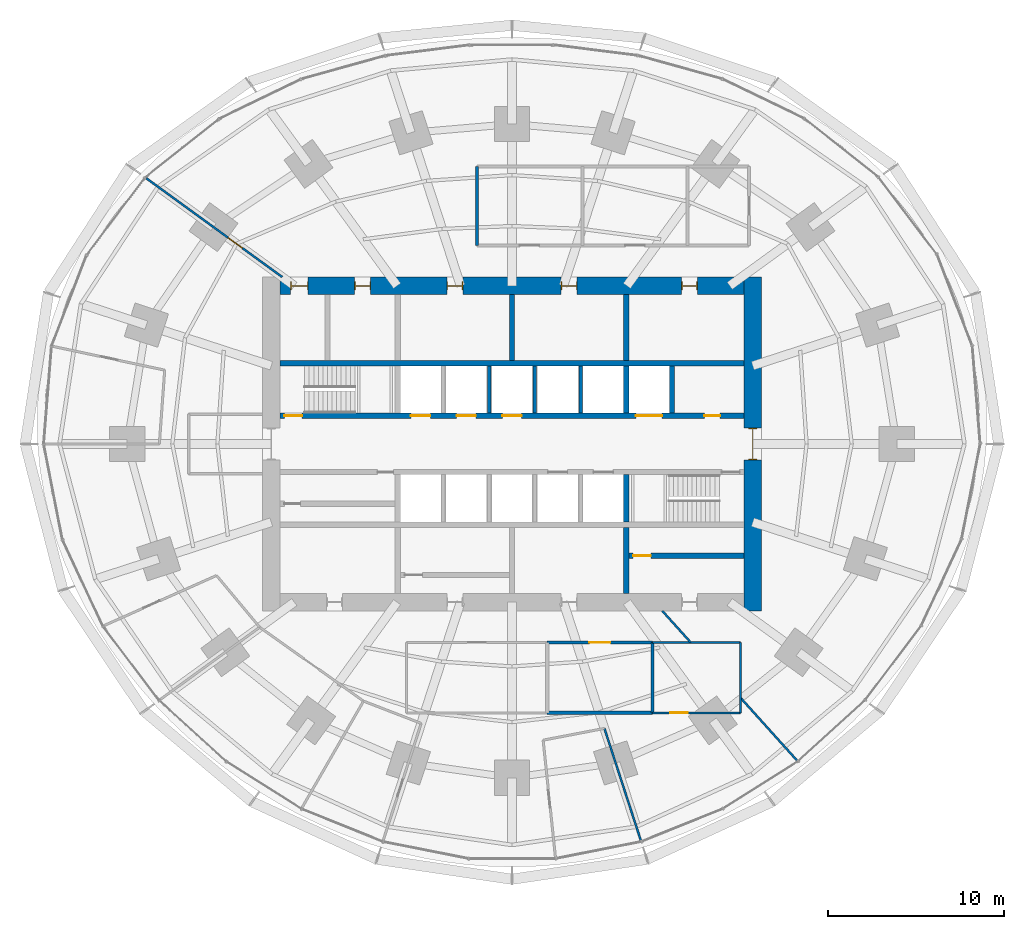
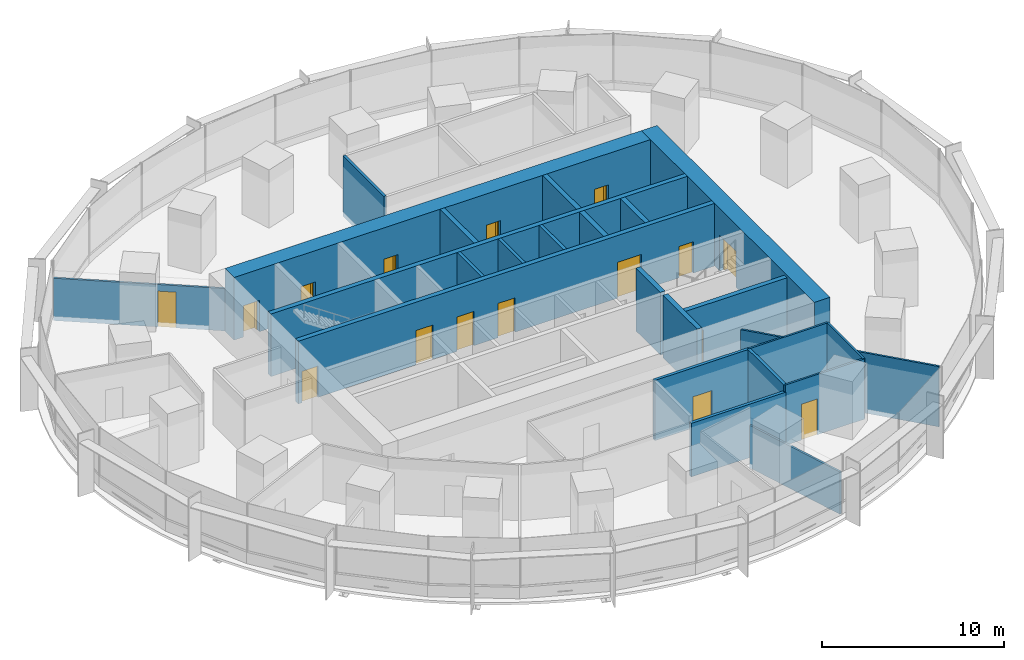
# One storey, part 12 of 15: 25 walls, 16 doors, 16 openings.
"""IFC4 building model written with IfcOpenShell, lengths in metres."""

from ifc_helpers import new_model, si_unit, direction, frame, frame_2d, origin, place, context, subcontext, project, spatial, rectangle, extrude, material, layer, layer_set, type_object, element, fill, save


model = new_model("IFC4")

# Units and contexts
model_context = context("Model", 3, precision=1e-05, world=origin(), true_north=direction((0.0, 1.0)))
body_context = subcontext(model_context, "Body", "Model", "MODEL_VIEW")
ifc_project = project(units=[si_unit("LENGTHUNIT", "METRE"), si_unit("AREAUNIT", "SQUARE_METRE"), si_unit("VOLUMEUNIT", "CUBIC_METRE"), si_unit("PLANEANGLEUNIT", "RADIAN"), si_unit("MASSUNIT", "GRAM", prefix="KILO")], contexts=[model_context])

# Site, building, storey
site_placement = place(None, origin())
site = spatial("IfcSite", under=ifc_project, at=site_placement, CompositionType="ELEMENT")
building_placement = place(site_placement, origin())
building = spatial("IfcBuilding", under=site, at=building_placement, Name="Marramba Exchange Tower", CompositionType="ELEMENT")
storey_placement = place(building_placement, frame((0.0, 0.0, 57.39990234375)))
storey = spatial("IfcBuildingStorey", under=building, at=storey_placement, Name="L13", CompositionType="ELEMENT", Elevation=57.39990234375)

# Walls
ifc_material_1 = material(Name="Plasterboard on staggered double steel studs, acoustic insulation", Category="steel")
ifc_layer_1 = layer(ifc_material_1, 0.169921875)
ifc_layer_set_1 = layer_set([ifc_layer_1], Name="Acoustic partition 170")
wall_type_1 = type_object("IfcWallType", Name="Acoustic partition 170", PredefinedType="PARTITIONING", material=ifc_layer_set_1)
wall_1_placement = place(storey_placement, frame((-2.0, 11.300048828125, 0.0), z_axis=(0.0, 0.0, 1.0), x_axis=(0.0, 1.0, 0.0)))
element("IfcWall", 1, at=wall_1_placement, inside=storey, type_object=wall_type_1, Name="Acoustic partition L13 29", PredefinedType="PARTITIONING", context=body_context, shape_type="SweptSolid", body=[
    extrude(rectangle(XDim=4.5, YDim=0.169921875, at=frame_2d((2.25, 0.0))), origin(), (0.0, 0.0, 1.0), 4.0400390625),
])
ifc_material_2 = material(Name="Concrete N50", Category="concrete")
ifc_layer_2 = layer(ifc_material_2, 0.199951171875)
ifc_layer_set_2 = layer_set([ifc_layer_2], Name="Core shaft wall 200")
wall_type_2 = type_object("IfcWallType", Name="Core shaft wall 200", PredefinedType="SHEAR", material=ifc_layer_set_2)
for number, where, z_axis, x_axis, name in (
    (2, (-1.300048828125, 1.75, 0.0), (0.0, 0.0, 1.0), (0.0, 1.0, 0.0), "Core wall SHN2 L13"),
    (3, (1.300048828125, 1.75, 0.0), (0.0, 0.0, 1.0), (0.0, 1.0, 0.0), "Core wall SHN3 L13"),
    (4, (3.89990234375, 1.75, 0.0), (0.0, 0.0, 1.0), (0.0, 1.0, 0.0), "Core wall SHN4 L13"),
):
    element("IfcWall", number, at=place(storey_placement, frame(where, z_axis=z_axis, x_axis=x_axis)), inside=storey, type_object=wall_type_2, Name=name, PredefinedType="SHEAR", context=body_context, shape_type="SweptSolid", body=[
        extrude(rectangle(XDim=2.699951171875, YDim=0.199951171875, at=frame_2d((1.35009765625, 0.0))), origin(), (0.0, 0.0, 1.0), 4.2001953125),
    ])

# Wall, openings, doors
ifc_layer_3 = layer(ifc_material_2, 1.0)
ifc_layer_set_3 = layer_set([ifc_layer_3], Name="Core wall 1000")
wall_type_3 = type_object("IfcWallType", Name="Core wall 1000", PredefinedType="SHEAR", material=ifc_layer_set_3)
wall_2_placement = place(storey_placement, frame((13.199951171875, 9.0, 0.0), z_axis=(0.0, 0.0, 1.0), x_axis=(-1.0, 0.0, 0.0)))
wall_2 = element("IfcWall", 5, at=wall_2_placement, inside=storey, type_object=wall_type_3, Name="Core wall N L13", PredefinedType="SHEAR", context=body_context, shape_type="SweptSolid", body=[
    extrude(rectangle(XDim=26.39990234375, YDim=1.0, at=frame_2d((13.199951171875, 0.0))), origin(), (0.0, 0.0, 1.0), 4.2001953125),
])
opening_1_placement = place(wall_2_placement, frame((2.64990234375, 0.0, 0.0)))
opening_1 = element("IfcOpeningElement", 6, at=opening_1_placement, cuts=wall_2, Name="Opening D5", PredefinedType="OPENING", context=body_context, shape_type="SweptSolid", body=[
    extrude(rectangle(XDim=0.89990234375, YDim=2.10009765625, at=frame_2d((0.449951171875, 1.050048828125))), frame((0.0, 0.510009765625, 0.0), z_axis=(0.0, -1.0, 0.0), x_axis=(1.0, 0.0, 0.0)), (0.0, 0.0, 1.0), 1.02001953125),
])
opening_2_placement = place(wall_2_placement, frame((9.5, 0.0, 0.0)))
opening_2 = element("IfcOpeningElement", 7, at=opening_2_placement, cuts=wall_2, Name="Opening D3", PredefinedType="OPENING", context=body_context, shape_type="SweptSolid", body=[
    extrude(rectangle(XDim=0.89990234375, YDim=2.10009765625, at=frame_2d((0.449951171875, 1.050048828125))), frame((0.0, 0.510009765625, 0.0), z_axis=(0.0, -1.0, 0.0), x_axis=(1.0, 0.0, 0.0)), (0.0, 0.0, 1.0), 1.02001953125),
])
opening_3_placement = place(wall_2_placement, frame((16.0, 0.0, 0.0)))
opening_3 = element("IfcOpeningElement", 8, at=opening_3_placement, cuts=wall_2, Name="Opening D3", PredefinedType="OPENING", context=body_context, shape_type="SweptSolid", body=[
    extrude(rectangle(XDim=0.89990234375, YDim=2.10009765625, at=frame_2d((0.449951171875, 1.050048828125))), frame((0.0, 0.510009765625, 0.0), z_axis=(0.0, -1.0, 0.0), x_axis=(1.0, 0.0, 0.0)), (0.0, 0.0, 1.0), 1.02001953125),
])
opening_4_placement = place(wall_2_placement, frame((21.25, 0.0, 0.0)))
opening_4 = element("IfcOpeningElement", 9, at=opening_4_placement, cuts=wall_2, Name="Opening D5", PredefinedType="OPENING", context=body_context, shape_type="SweptSolid", body=[
    extrude(rectangle(XDim=0.89990234375, YDim=2.10009765625, at=frame_2d((0.449951171875, 1.050048828125))), frame((0.0, 0.510009765625, 0.0), z_axis=(0.0, -1.0, 0.0), x_axis=(1.0, 0.0, 0.0)), (0.0, 0.0, 1.0), 1.02001953125),
])
opening_5_placement = place(wall_2_placement, frame((24.800048828125, 0.0, 0.0)))
opening_5 = element("IfcOpeningElement", 10, at=opening_5_placement, cuts=wall_2, Name="Opening D4", PredefinedType="OPENING", context=body_context, shape_type="SweptSolid", body=[
    extrude(rectangle(XDim=1.0, YDim=2.10009765625, at=frame_2d((0.5, 1.050048828125))), frame((0.0, 0.510009765625, 0.0), z_axis=(0.0, -1.0, 0.0), x_axis=(1.0, 0.0, 0.0)), (0.0, 0.0, 1.0), 1.02001953125),
])
ifc_material_3 = material(Name="Steel-framed door", Category="steel")
door_type_1 = type_object("IfcDoorType", Name="Accessible toilet door 1000x2100", OperationType="SINGLE_SWING_LEFT", PredefinedType="DOOR", material=ifc_material_3)
door_1_placement = place(opening_5_placement, origin())
door_1 = element("IfcDoor", 11, at=door_1_placement, inside=storey, type_object=door_type_1, Name="D4 awc L13", OperationType="SINGLE_SWING_RIGHT", OverallHeight=2.10009765625, OverallWidth=1.0, PredefinedType="DOOR", context=body_context, shape_type="SweptSolid", body=[
    extrude(rectangle(XDim=0.919921875, YDim=2.06005859375, at=frame_2d((0.5, 1.030029296875))), frame((0.0, 0.02490234375, 0.0), z_axis=(0.0, -1.0, 0.0), x_axis=(1.0, 0.0, 0.0)), (0.0, 0.0, 1.0), 0.050048828125),
    extrude(rectangle(XDim=0.04, YDim=2.10009765625, at=frame_2d((0.02001953125, 1.050048828125))), frame((0.0, 0.25, 0.0), z_axis=(0.0, -1.0, 0.0), x_axis=(1.0, 0.0, 0.0)), (0.0, 0.0, 1.0), 0.5),
    extrude(rectangle(XDim=0.04, YDim=2.10009765625, at=frame_2d((0.97998046875, 1.050048828125))), frame((0.0, 0.25, 0.0), z_axis=(0.0, -1.0, 0.0), x_axis=(1.0, 0.0, 0.0)), (0.0, 0.0, 1.0), 0.5),
    extrude(rectangle(XDim=0.919921875, YDim=0.04, at=frame_2d((0.5, 2.080078125))), frame((0.0, 0.25, 0.0), z_axis=(0.0, -1.0, 0.0), x_axis=(1.0, 0.0, 0.0)), (0.0, 0.0, 1.0), 0.5),
])
fill(opening_5, door_1)
door_type_2 = type_object("IfcDoorType", Name="Service door 900x2100", OperationType="SINGLE_SWING_LEFT", PredefinedType="DOOR", material=ifc_material_3)
door_2_placement = place(opening_1_placement, origin())
door_2 = element("IfcDoor", 12, at=door_2_placement, inside=storey, type_object=door_type_2, Name="D5 comms L13", OperationType="SINGLE_SWING_LEFT", OverallHeight=2.10009765625, OverallWidth=0.89990234375, PredefinedType="DOOR", context=body_context, shape_type="SweptSolid", body=[
    extrude(rectangle(XDim=0.81982421875, YDim=2.06005859375, at=frame_2d((0.449951171875, 1.030029296875))), frame((0.0, 0.02490234375, 0.0), z_axis=(0.0, -1.0, 0.0), x_axis=(1.0, 0.0, 0.0)), (0.0, 0.0, 1.0), 0.050048828125),
    extrude(rectangle(XDim=0.04, YDim=2.10009765625, at=frame_2d((0.02001953125, 1.050048828125))), frame((0.0, 0.25, 0.0), z_axis=(0.0, -1.0, 0.0), x_axis=(1.0, 0.0, 0.0)), (0.0, 0.0, 1.0), 0.5),
    extrude(rectangle(XDim=0.04, YDim=2.10009765625, at=frame_2d((0.8798828125, 1.050048828125))), frame((0.0, 0.25, 0.0), z_axis=(0.0, -1.0, 0.0), x_axis=(1.0, 0.0, 0.0)), (0.0, 0.0, 1.0), 0.5),
    extrude(rectangle(XDim=0.81982421875, YDim=0.04, at=frame_2d((0.449951171875, 2.080078125))), frame((0.0, 0.25, 0.0), z_axis=(0.0, -1.0, 0.0), x_axis=(1.0, 0.0, 0.0)), (0.0, 0.0, 1.0), 0.5),
])
fill(opening_1, door_2)
door_3_placement = place(opening_4_placement, origin())
door_3 = element("IfcDoor", 13, at=door_3_placement, inside=storey, type_object=door_type_2, Name="D5 cleaner L13", OperationType="SINGLE_SWING_RIGHT", OverallHeight=2.10009765625, OverallWidth=0.89990234375, PredefinedType="DOOR", context=body_context, shape_type="SweptSolid", body=[
    extrude(rectangle(XDim=0.81982421875, YDim=2.06005859375, at=frame_2d((0.449951171875, 1.030029296875))), frame((0.0, 0.02490234375, 0.0), z_axis=(0.0, -1.0, 0.0), x_axis=(1.0, 0.0, 0.0)), (0.0, 0.0, 1.0), 0.050048828125),
    extrude(rectangle(XDim=0.04, YDim=2.10009765625, at=frame_2d((0.02001953125, 1.050048828125))), frame((0.0, 0.25, 0.0), z_axis=(0.0, -1.0, 0.0), x_axis=(1.0, 0.0, 0.0)), (0.0, 0.0, 1.0), 0.5),
    extrude(rectangle(XDim=0.04, YDim=2.10009765625, at=frame_2d((0.8798828125, 1.050048828125))), frame((0.0, 0.25, 0.0), z_axis=(0.0, -1.0, 0.0), x_axis=(1.0, 0.0, 0.0)), (0.0, 0.0, 1.0), 0.5),
    extrude(rectangle(XDim=0.81982421875, YDim=0.04, at=frame_2d((0.449951171875, 2.080078125))), frame((0.0, 0.25, 0.0), z_axis=(0.0, -1.0, 0.0), x_axis=(1.0, 0.0, 0.0)), (0.0, 0.0, 1.0), 0.5),
])
fill(opening_4, door_3)
door_type_3 = type_object("IfcDoorType", Name="Toilet door 900x2100", OperationType="SINGLE_SWING_LEFT", PredefinedType="DOOR", material=ifc_material_3)
door_4_placement = place(opening_2_placement, origin())
door_4 = element("IfcDoor", 14, at=door_4_placement, inside=storey, type_object=door_type_3, Name="D3 wc-f L13", OperationType="SINGLE_SWING_RIGHT", OverallHeight=2.10009765625, OverallWidth=0.89990234375, PredefinedType="DOOR", context=body_context, shape_type="SweptSolid", body=[
    extrude(rectangle(XDim=0.81982421875, YDim=2.06005859375, at=frame_2d((0.449951171875, 1.030029296875))), frame((0.0, 0.02490234375, 0.0), z_axis=(0.0, -1.0, 0.0), x_axis=(1.0, 0.0, 0.0)), (0.0, 0.0, 1.0), 0.050048828125),
    extrude(rectangle(XDim=0.04, YDim=2.10009765625, at=frame_2d((0.02001953125, 1.050048828125))), frame((0.0, 0.25, 0.0), z_axis=(0.0, -1.0, 0.0), x_axis=(1.0, 0.0, 0.0)), (0.0, 0.0, 1.0), 0.5),
    extrude(rectangle(XDim=0.04, YDim=2.10009765625, at=frame_2d((0.8798828125, 1.050048828125))), frame((0.0, 0.25, 0.0), z_axis=(0.0, -1.0, 0.0), x_axis=(1.0, 0.0, 0.0)), (0.0, 0.0, 1.0), 0.5),
    extrude(rectangle(XDim=0.81982421875, YDim=0.04, at=frame_2d((0.449951171875, 2.080078125))), frame((0.0, 0.25, 0.0), z_axis=(0.0, -1.0, 0.0), x_axis=(1.0, 0.0, 0.0)), (0.0, 0.0, 1.0), 0.5),
])
fill(opening_2, door_4)
door_5_placement = place(opening_3_placement, origin())
door_5 = element("IfcDoor", 15, at=door_5_placement, inside=storey, type_object=door_type_3, Name="D3 wc-m L13", OperationType="SINGLE_SWING_RIGHT", OverallHeight=2.10009765625, OverallWidth=0.89990234375, PredefinedType="DOOR", context=body_context, shape_type="SweptSolid", body=[
    extrude(rectangle(XDim=0.81982421875, YDim=2.06005859375, at=frame_2d((0.449951171875, 1.030029296875))), frame((0.0, 0.02490234375, 0.0), z_axis=(0.0, -1.0, 0.0), x_axis=(1.0, 0.0, 0.0)), (0.0, 0.0, 1.0), 0.050048828125),
    extrude(rectangle(XDim=0.04, YDim=2.10009765625, at=frame_2d((0.02001953125, 1.050048828125))), frame((0.0, 0.25, 0.0), z_axis=(0.0, -1.0, 0.0), x_axis=(1.0, 0.0, 0.0)), (0.0, 0.0, 1.0), 0.5),
    extrude(rectangle(XDim=0.04, YDim=2.10009765625, at=frame_2d((0.8798828125, 1.050048828125))), frame((0.0, 0.25, 0.0), z_axis=(0.0, -1.0, 0.0), x_axis=(1.0, 0.0, 0.0)), (0.0, 0.0, 1.0), 0.5),
    extrude(rectangle(XDim=0.81982421875, YDim=0.04, at=frame_2d((0.449951171875, 2.080078125))), frame((0.0, 0.25, 0.0), z_axis=(0.0, -1.0, 0.0), x_axis=(1.0, 0.0, 0.0)), (0.0, 0.0, 1.0), 0.5),
])
fill(opening_3, door_5)

# Wall, opening, door
wall_3_placement = place(storey_placement, frame((13.699951171875, -9.5, 0.0), z_axis=(0.0, 0.0, 1.0), x_axis=(0.0, 1.0, 0.0)))
wall_3 = element("IfcWall", 16, at=wall_3_placement, inside=storey, type_object=wall_type_3, Name="Core wall E L13", PredefinedType="SHEAR", context=body_context, shape_type="SweptSolid", body=[
    extrude(rectangle(XDim=19.0, YDim=1.0, at=frame_2d((9.5, 0.0))), origin(), (0.0, 0.0, 1.0), 4.2001953125),
])
opening_6_placement = place(wall_3_placement, frame((8.60009765625, 0.0, 0.0)))
opening_6 = element("IfcOpeningElement", 17, at=opening_6_placement, cuts=wall_3, Name="Opening D1", PredefinedType="OPENING", context=body_context, shape_type="SweptSolid", body=[
    extrude(rectangle(XDim=1.800048828125, YDim=2.39990234375, at=frame_2d((0.89990234375, 1.199951171875))), frame((0.0, 0.510009765625, 0.0), z_axis=(0.0, -1.0, 0.0), x_axis=(1.0, 0.0, 0.0)), (0.0, 0.0, 1.0), 1.02001953125),
])
door_type_4 = type_object("IfcDoorType", Name="Lobby exit door 1800x2400", OperationType="DOUBLE_DOOR_SINGLE_SWING", PredefinedType="DOOR", material=ifc_material_3)
door_6_placement = place(opening_6_placement, origin())
door_6 = element("IfcDoor", 18, at=door_6_placement, inside=storey, type_object=door_type_4, Name="D1 lobby exit east L13", OperationType="DOUBLE_DOOR_SINGLE_SWING", OverallHeight=2.39990234375, OverallWidth=1.800048828125, PredefinedType="DOOR", context=body_context, shape_type="SweptSolid", body=[
    extrude(rectangle(XDim=1.719970703125, YDim=2.35986328125, at=frame_2d((0.89990234375, 1.179931640625))), frame((0.0, 0.02490234375, 0.0), z_axis=(0.0, -1.0, 0.0), x_axis=(1.0, 0.0, 0.0)), (0.0, 0.0, 1.0), 0.050048828125),
    extrude(rectangle(XDim=0.04, YDim=2.39990234375, at=frame_2d((0.02001953125, 1.199951171875))), frame((0.0, 0.25, 0.0), z_axis=(0.0, -1.0, 0.0), x_axis=(1.0, 0.0, 0.0)), (0.0, 0.0, 1.0), 0.5),
    extrude(rectangle(XDim=0.04, YDim=2.39990234375, at=frame_2d((1.780029296875, 1.199951171875))), frame((0.0, 0.25, 0.0), z_axis=(0.0, -1.0, 0.0), x_axis=(1.0, 0.0, 0.0)), (0.0, 0.0, 1.0), 0.5),
    extrude(rectangle(XDim=1.719970703125, YDim=0.04, at=frame_2d((0.89990234375, 2.3798828125))), frame((0.0, 0.25, 0.0), z_axis=(0.0, -1.0, 0.0), x_axis=(1.0, 0.0, 0.0)), (0.0, 0.0, 1.0), 0.5),
])
fill(opening_6, door_6)

# Wall, openings, doors
ifc_layer_4 = layer(ifc_material_2, 0.300048828125)
ifc_layer_set_4 = layer_set([ifc_layer_4], Name="Core wall 300")
wall_type_4 = type_object("IfcWallType", Name="Core wall 300", PredefinedType="SHEAR", material=ifc_layer_set_4)
wall_4_placement = place(storey_placement, frame((-13.199951171875, 1.60009765625, 0.0), z_axis=(0.0, 0.0, 1.0), x_axis=(1.0, 0.0, 0.0)))
wall_4 = element("IfcWall", 19, at=wall_4_placement, inside=storey, type_object=wall_type_4, Name="Core wall LN L13", PredefinedType="SHEAR", context=body_context, shape_type="SweptSolid", body=[
    extrude(rectangle(XDim=26.39990234375, YDim=0.300048828125, at=frame_2d((13.199951171875, 0.0))), origin(), (0.0, 0.0, 1.0), 4.2001953125),
])
opening_7_placement = place(wall_4_placement, frame((0.25, 0.0, 0.0)))
opening_7 = element("IfcOpeningElement", 20, at=opening_7_placement, cuts=wall_4, Name="Opening D2", PredefinedType="OPENING", context=body_context, shape_type="SweptSolid", body=[
    extrude(rectangle(XDim=1.0, YDim=2.10009765625, at=frame_2d((0.5, 1.050048828125))), frame((0.0, 0.159912109375, 0.0), z_axis=(0.0, -1.0, 0.0), x_axis=(1.0, 0.0, 0.0)), (0.0, 0.0, 1.0), 0.320068359375),
])
opening_8_placement = place(wall_4_placement, frame((20.25, 0.0, 0.0)))
opening_8 = element("IfcOpeningElement", 21, at=opening_8_placement, cuts=wall_4, Name="Opening LD3", PredefinedType="OPENING", context=body_context, shape_type="SweptSolid", body=[
    extrude(rectangle(XDim=1.5, YDim=2.39990234375, at=frame_2d((0.75, 1.199951171875))), frame((0.0, 0.159912109375, 0.0), z_axis=(0.0, -1.0, 0.0), x_axis=(1.0, 0.0, 0.0)), (0.0, 0.0, 1.0), 0.320068359375),
])
opening_9_placement = place(wall_4_placement, frame((7.449951171875, 0.0, 0.0)))
opening_9 = element("IfcOpeningElement", 22, at=opening_9_placement, cuts=wall_4, Name="Opening LD1", PredefinedType="OPENING", context=body_context, shape_type="SweptSolid", body=[
    extrude(rectangle(XDim=1.10009765625, YDim=2.300048828125, at=frame_2d((0.550048828125, 1.14990234375))), frame((0.0, 0.159912109375, 0.0), z_axis=(0.0, -1.0, 0.0), x_axis=(1.0, 0.0, 0.0)), (0.0, 0.0, 1.0), 0.320068359375),
])
opening_10_placement = place(wall_4_placement, frame((10.050048828125, 0.0, 0.0)))
opening_10 = element("IfcOpeningElement", 23, at=opening_10_placement, cuts=wall_4, Name="Opening LD1", PredefinedType="OPENING", context=body_context, shape_type="SweptSolid", body=[
    extrude(rectangle(XDim=1.10009765625, YDim=2.300048828125, at=frame_2d((0.550048828125, 1.14990234375))), frame((0.0, 0.159912109375, 0.0), z_axis=(0.0, -1.0, 0.0), x_axis=(1.0, 0.0, 0.0)), (0.0, 0.0, 1.0), 0.320068359375),
])
opening_11_placement = place(wall_4_placement, frame((12.64990234375, 0.0, 0.0)))
opening_11 = element("IfcOpeningElement", 24, at=opening_11_placement, cuts=wall_4, Name="Opening LD1", PredefinedType="OPENING", context=body_context, shape_type="SweptSolid", body=[
    extrude(rectangle(XDim=1.10009765625, YDim=2.300048828125, at=frame_2d((0.550048828125, 1.14990234375))), frame((0.0, 0.159912109375, 0.0), z_axis=(0.0, -1.0, 0.0), x_axis=(1.0, 0.0, 0.0)), (0.0, 0.0, 1.0), 0.320068359375),
])
opening_12_placement = place(wall_4_placement, frame((24.14990234375, 0.0, 0.0)))
opening_12 = element("IfcOpeningElement", 25, at=opening_12_placement, cuts=wall_4, Name="Opening D5", PredefinedType="OPENING", context=body_context, shape_type="SweptSolid", body=[
    extrude(rectangle(XDim=0.89990234375, YDim=2.10009765625, at=frame_2d((0.449951171875, 1.050048828125))), frame((0.0, 0.159912109375, 0.0), z_axis=(0.0, -1.0, 0.0), x_axis=(1.0, 0.0, 0.0)), (0.0, 0.0, 1.0), 0.320068359375),
])
door_type_5 = type_object("IfcDoorType", Name="Goods lift landing door 1500x2400", OperationType="SLIDING_TO_LEFT", PredefinedType="DOOR", material=ifc_material_3)
door_7_placement = place(opening_8_placement, origin())
door_7 = element("IfcDoor", 26, at=door_7_placement, inside=storey, type_object=door_type_5, Name="GL1 landing door L13", OperationType="SLIDING_TO_LEFT", OverallHeight=2.39990234375, OverallWidth=1.5, PredefinedType="DOOR", context=body_context, shape_type="SweptSolid", body=[
    extrude(rectangle(XDim=1.5, YDim=2.39990234375, at=frame_2d((0.75, 1.199951171875))), frame((0.0, 0.02490234375, 0.0), z_axis=(0.0, -1.0, 0.0), x_axis=(1.0, 0.0, 0.0)), (0.0, 0.0, 1.0), 0.050048828125),
])
fill(opening_8, door_7)
door_type_6 = type_object("IfcDoorType", Name="Lift landing door 1100x2300", OperationType="SLIDING_TO_LEFT", PredefinedType="DOOR", material=ifc_material_3)
door_8_placement = place(opening_9_placement, origin())
door_8 = element("IfcDoor", 27, at=door_8_placement, inside=storey, type_object=door_type_6, Name="LA1 landing door L13", OperationType="SLIDING_TO_LEFT", OverallHeight=2.300048828125, OverallWidth=1.10009765625, PredefinedType="DOOR", context=body_context, shape_type="SweptSolid", body=[
    extrude(rectangle(XDim=1.10009765625, YDim=2.300048828125, at=frame_2d((0.550048828125, 1.14990234375))), frame((0.0, 0.02490234375, 0.0), z_axis=(0.0, -1.0, 0.0), x_axis=(1.0, 0.0, 0.0)), (0.0, 0.0, 1.0), 0.050048828125),
])
fill(opening_9, door_8)
door_9_placement = place(opening_10_placement, origin())
door_9 = element("IfcDoor", 28, at=door_9_placement, inside=storey, type_object=door_type_6, Name="LA2 landing door L13", OperationType="SLIDING_TO_LEFT", OverallHeight=2.300048828125, OverallWidth=1.10009765625, PredefinedType="DOOR", context=body_context, shape_type="SweptSolid", body=[
    extrude(rectangle(XDim=1.10009765625, YDim=2.300048828125, at=frame_2d((0.550048828125, 1.14990234375))), frame((0.0, 0.02490234375, 0.0), z_axis=(0.0, -1.0, 0.0), x_axis=(1.0, 0.0, 0.0)), (0.0, 0.0, 1.0), 0.050048828125),
])
fill(opening_10, door_9)
door_10_placement = place(opening_11_placement, origin())
door_10 = element("IfcDoor", 29, at=door_10_placement, inside=storey, type_object=door_type_6, Name="LA3 landing door L13", OperationType="SLIDING_TO_RIGHT", OverallHeight=2.300048828125, OverallWidth=1.10009765625, PredefinedType="DOOR", context=body_context, shape_type="SweptSolid", body=[
    extrude(rectangle(XDim=1.10009765625, YDim=2.300048828125, at=frame_2d((0.550048828125, 1.14990234375))), frame((0.0, 0.02490234375, 0.0), z_axis=(0.0, -1.0, 0.0), x_axis=(1.0, 0.0, 0.0)), (0.0, 0.0, 1.0), 0.050048828125),
])
fill(opening_11, door_10)
door_11_placement = place(opening_12_placement, origin())
door_11 = element("IfcDoor", 30, at=door_11_placement, inside=storey, type_object=door_type_2, Name="D5 riser L13", OperationType="SINGLE_SWING_RIGHT", OverallHeight=2.10009765625, OverallWidth=0.89990234375, PredefinedType="DOOR", context=body_context, shape_type="SweptSolid", body=[
    extrude(rectangle(XDim=0.89990234375, YDim=2.10009765625, at=frame_2d((0.449951171875, 1.050048828125))), frame((0.0, 0.02490234375, 0.0), z_axis=(0.0, -1.0, 0.0), x_axis=(1.0, 0.0, 0.0)), (0.0, 0.0, 1.0), 0.050048828125),
])
fill(opening_12, door_11)
door_type_7 = type_object("IfcDoorType", Name="Stair door 1000x2100", OperationType="SINGLE_SWING_LEFT", PredefinedType="DOOR", material=ifc_material_3)
door_12_placement = place(opening_7_placement, origin())
door_12 = element("IfcDoor", 31, at=door_12_placement, inside=storey, type_object=door_type_7, Name="D2 stair ST1 L13", OperationType="SINGLE_SWING_LEFT", OverallHeight=2.10009765625, OverallWidth=1.0, PredefinedType="DOOR", context=body_context, shape_type="SweptSolid", body=[
    extrude(rectangle(XDim=1.0, YDim=2.10009765625, at=frame_2d((0.5, 1.050048828125))), frame((0.0, 0.02490234375, 0.0), z_axis=(0.0, -1.0, 0.0), x_axis=(1.0, 0.0, 0.0)), (0.0, 0.0, 1.0), 0.050048828125),
])
fill(opening_7, door_12)

# Walls
wall_5_placement = place(storey_placement, frame((-13.199951171875, 4.60009765625, 0.0), z_axis=(0.0, 0.0, 1.0), x_axis=(1.0, 0.0, 0.0)))
element("IfcWall", 32, at=wall_5_placement, inside=storey, type_object=wall_type_4, Name="Core wall BN L13", PredefinedType="SHEAR", context=body_context, shape_type="SweptSolid", body=[
    extrude(rectangle(XDim=26.39990234375, YDim=0.300048828125, at=frame_2d((13.199951171875, 0.0))), origin(), (0.0, 0.0, 1.0), 4.2001953125),
])
wall_6_placement = place(storey_placement, frame((6.5, 1.75, 0.0), z_axis=(0.0, 0.0, 1.0), x_axis=(0.0, 1.0, 0.0)))
element("IfcWall", 33, at=wall_6_placement, inside=storey, type_object=wall_type_4, Name="Core wall X1Na L13", PredefinedType="SHEAR", context=body_context, shape_type="SweptSolid", body=[
    extrude(rectangle(XDim=2.699951171875, YDim=0.300048828125, at=frame_2d((1.35009765625, 0.0))), origin(), (0.0, 0.0, 1.0), 4.2001953125),
])
for number, where, z_axis, x_axis, name in (
    (34, (6.5, 4.75, 0.0), (0.0, 0.0, 1.0), (0.0, 1.0, 0.0), "Core wall X1Nb L13"),
    (35, (0.0, 4.75, 0.0), (0.0, 0.0, 1.0), (0.0, 1.0, 0.0), "Core wall MN L13"),
):
    element("IfcWall", number, at=place(storey_placement, frame(where, z_axis=z_axis, x_axis=x_axis)), inside=storey, type_object=wall_type_4, Name=name, PredefinedType="SHEAR", context=body_context, shape_type="SweptSolid", body=[
        extrude(rectangle(XDim=3.75, YDim=0.300048828125, at=frame_2d((1.875, 0.0))), origin(), (0.0, 0.0, 1.0), 4.2001953125),
    ])
wall_7_placement = place(storey_placement, frame((6.5, -1.75, 0.0), z_axis=(0.0, 0.0, 1.0), x_axis=(0.0, -1.0, 0.0)))
element("IfcWall", 36, at=wall_7_placement, inside=storey, type_object=wall_type_4, Name="Core wall X1Sa L13", PredefinedType="SHEAR", context=body_context, shape_type="SweptSolid", body=[
    extrude(rectangle(XDim=2.699951171875, YDim=0.300048828125, at=frame_2d((1.35009765625, 0.0))), origin(), (0.0, 0.0, 1.0), 4.2001953125),
])
wall_8_placement = place(storey_placement, frame((6.5, -4.75, 0.0), z_axis=(0.0, 0.0, 1.0), x_axis=(0.0, -1.0, 0.0)))
element("IfcWall", 37, at=wall_8_placement, inside=storey, type_object=wall_type_4, Name="Core wall X1Sb L13", PredefinedType="SHEAR", context=body_context, shape_type="SweptSolid", body=[
    extrude(rectangle(XDim=3.75, YDim=0.300048828125, at=frame_2d((1.875, 0.0))), origin(), (0.0, 0.0, 1.0), 4.2001953125),
])
wall_9_placement = place(storey_placement, frame((9.10009765625, 1.75, 0.0), z_axis=(0.0, 0.0, 1.0), x_axis=(0.0, 1.0, 0.0)))
element("IfcWall", 38, at=wall_9_placement, inside=storey, type_object=wall_type_4, Name="Core wall ED L13", PredefinedType="SHEAR", context=body_context, shape_type="SweptSolid", body=[
    extrude(rectangle(XDim=2.699951171875, YDim=0.300048828125, at=frame_2d((1.35009765625, 0.0))), origin(), (0.0, 0.0, 1.0), 4.2001953125),
])
ifc_material_4 = material(Name="Core-filled concrete blockwork, rendered", Category="masonry")
ifc_layer_5 = layer(ifc_material_4, 0.18994140625)
ifc_layer_set_5 = layer_set([ifc_layer_5], Name="Equipment room wall 190")
wall_type_5 = type_object("IfcWallType", Name="Equipment room wall 190", PredefinedType="SOLIDWALL", material=ifc_layer_set_5)
wall_10_placement = place(storey_placement, frame((2.0, -15.300048828125, 0.0), z_axis=(0.0, 0.0, 1.0), x_axis=(1.0, 0.0, 0.0)))
element("IfcWall", 39, at=wall_10_placement, inside=storey, type_object=wall_type_5, Name="Equipment room wall L13 16", PredefinedType="SOLIDWALL", context=body_context, shape_type="SweptSolid", body=[
    extrude(rectangle(XDim=6.0, YDim=0.18994140625, at=frame_2d((3.0, 0.0))), origin(), (0.0, 0.0, 1.0), 3.586181640625),
])

# Wall, opening, door
wall_11_placement = place(storey_placement, frame((8.0, -11.300048828125, 0.0), z_axis=(0.0, 0.0, 1.0), x_axis=(-1.0, 0.0, 0.0)))
wall_11 = element("IfcWall", 40, at=wall_11_placement, inside=storey, type_object=wall_type_5, Name="Equipment room wall L13 17", PredefinedType="SOLIDWALL", context=body_context, shape_type="SweptSolid", body=[
    extrude(rectangle(XDim=6.0, YDim=0.18994140625, at=frame_2d((3.0, 0.0))), origin(), (0.0, 0.0, 1.0), 4.0400390625),
])
opening_13_placement = place(wall_11_placement, frame((2.39990234375, 0.0, 0.0)))
opening_13 = element("IfcOpeningElement", 41, at=opening_13_placement, cuts=wall_11, Name="Opening D16", PredefinedType="OPENING", context=body_context, shape_type="SweptSolid", body=[
    extrude(rectangle(XDim=1.199951171875, YDim=2.10009765625, at=frame_2d((0.60009765625, 1.050048828125))), frame((0.0, 0.10498046875, 0.0), z_axis=(0.0, -1.0, 0.0), x_axis=(1.0, 0.0, 0.0)), (0.0, 0.0, 1.0), 0.2099609375),
])
door_type_8 = type_object("IfcDoorType", Name="Equipment room door 1200x2100", OperationType="SINGLE_SWING_LEFT", PredefinedType="DOOR", material=ifc_material_3)
door_13_placement = place(opening_13_placement, origin())
door_13 = element("IfcDoor", 42, at=door_13_placement, inside=storey, type_object=door_type_8, Name="D16 Data Room L13", OperationType="SINGLE_SWING_RIGHT", OverallHeight=2.10009765625, OverallWidth=1.199951171875, PredefinedType="DOOR", context=body_context, shape_type="SweptSolid", body=[
    extrude(rectangle(XDim=1.199951171875, YDim=2.10009765625, at=frame_2d((0.60009765625, 1.050048828125))), frame((0.0, 0.02490234375, 0.0), z_axis=(0.0, -1.0, 0.0), x_axis=(1.0, 0.0, 0.0)), (0.0, 0.0, 1.0), 0.050048828125),
])
fill(opening_13, door_13)

# Walls
wall_12_placement = place(storey_placement, frame((8.0, -11.300048828125, 0.0), z_axis=(0.0, 0.0, 1.0), x_axis=(0.0, -1.0, 0.0)))
element("IfcWall", 43, at=wall_12_placement, inside=storey, type_object=wall_type_5, Name="Equipment room wall L13 18", PredefinedType="SOLIDWALL", context=body_context, shape_type="SweptSolid", body=[
    extrude(rectangle(XDim=4.0, YDim=0.18994140625, at=frame_2d((2.0, 0.0))), origin(), (0.0, 0.0, 1.0), 4.0400390625),
])
ifc_material_5 = material(Name="Plasterboard on steel studs", Category="steel")
ifc_layer_6 = layer(ifc_material_5, 0.1201171875)
ifc_layer_set_6 = layer_set([ifc_layer_6], Name="Partition 120")
wall_type_6 = type_object("IfcWallType", Name="Partition 120", PredefinedType="PARTITIONING", material=ifc_layer_set_6)
wall_13_placement = place(storey_placement, frame((7.330078125, -22.56005859375, 0.0), z_axis=(0.0, 0.0, 1.0), x_axis=(-0.309003676349, 0.951060843481, 0.0)))
element("IfcWall", 44, at=wall_13_placement, inside=storey, type_object=wall_type_6, Name="Partition L13 15", PredefinedType="PARTITIONING", context=body_context, shape_type="SweptSolid", body=[
    extrude(rectangle(XDim=6.699951171875, YDim=0.1201171875, at=frame_2d((3.35009765625, 0.0))), origin(), (0.0, 0.0, 1.0), 2.840087890625),
])

# Wall, opening, door
wall_14_placement = place(storey_placement, frame((8.0, -15.300048828125, 0.0), z_axis=(0.0, 0.0, 1.0), x_axis=(1.0, 0.0, 0.0)))
wall_14 = element("IfcWall", 45, at=wall_14_placement, inside=storey, type_object=wall_type_6, Name="Partition L13 19", PredefinedType="PARTITIONING", context=body_context, shape_type="SweptSolid", body=[
    extrude(rectangle(XDim=5.0, YDim=0.1201171875, at=frame_2d((2.5, 0.0))), origin(), (0.0, 0.0, 1.0), 4.0400390625),
])
opening_14_placement = place(wall_14_placement, frame((1.0, 0.0, 0.0)))
opening_14 = element("IfcOpeningElement", 46, at=opening_14_placement, cuts=wall_14, Name="Opening D9", PredefinedType="OPENING", context=body_context, shape_type="SweptSolid", body=[
    extrude(rectangle(XDim=1.0, YDim=2.39990234375, at=frame_2d((0.5, 1.199951171875))), frame((0.0, 0.070068359375, 0.0), z_axis=(0.0, -1.0, 0.0), x_axis=(1.0, 0.0, 0.0)), (0.0, 0.0, 1.0), 0.14013671875),
])
ifc_material_6 = material(Name="Timber door", Category="wood")
door_type_9 = type_object("IfcDoorType", Name="Room door 1000x2400", OperationType="SINGLE_SWING_LEFT", PredefinedType="DOOR", material=ifc_material_6)
door_14_placement = place(opening_14_placement, origin())
door_14 = element("IfcDoor", 47, at=door_14_placement, inside=storey, type_object=door_type_9, Name="D9 Print Room L13", OperationType="SINGLE_SWING_LEFT", OverallHeight=2.39990234375, OverallWidth=1.0, PredefinedType="DOOR", context=body_context, shape_type="SweptSolid", body=[
    extrude(rectangle(XDim=1.0, YDim=2.39990234375, at=frame_2d((0.5, 1.199951171875))), frame((0.0, 0.02490234375, 0.0), z_axis=(0.0, -1.0, 0.0), x_axis=(1.0, 0.0, 0.0)), (0.0, 0.0, 1.0), 0.050048828125),
])
fill(opening_14, door_14)

# Walls
wall_15_placement = place(storey_placement, frame((10.174560546875, -11.300048828125, 0.0), z_axis=(0.0, 0.0, 1.0), x_axis=(-0.669148472958, 0.74312873793, 0.0)))
element("IfcWall", 48, at=wall_15_placement, inside=storey, type_object=wall_type_6, Name="Partition L13 20", PredefinedType="PARTITIONING", context=body_context, shape_type="SweptSolid", body=[
    extrude(rectangle(XDim=2.42236328125, YDim=0.1201171875, at=frame_2d((1.211181640625, 0.0))), origin(), (0.0, 0.0, 1.0), 4.0400390625),
])
wall_16_placement = place(storey_placement, frame((16.21435546875, -18.0078125, 0.0), z_axis=(0.0, 0.0, 1.0), x_axis=(-0.669138803937, 0.743137444263, 0.0)))
element("IfcWall", 49, at=wall_16_placement, inside=storey, type_object=wall_type_6, Name="Partition L13 21", PredefinedType="PARTITIONING", context=body_context, shape_type="SweptSolid", body=[
    extrude(rectangle(XDim=4.8037109375, YDim=0.1201171875, at=frame_2d((2.40185546875, 0.0))), origin(), (0.0, 0.0, 1.0), 4.0400390625),
])
wall_17_placement = place(storey_placement, frame((13.0, -11.300048828125, 0.0), z_axis=(0.0, 0.0, 1.0), x_axis=(-1.0, 0.0, 0.0)))
element("IfcWall", 50, at=wall_17_placement, inside=storey, type_object=wall_type_6, Name="Partition L13 22", PredefinedType="PARTITIONING", context=body_context, shape_type="SweptSolid", body=[
    extrude(rectangle(XDim=5.0, YDim=0.1201171875, at=frame_2d((2.5, 0.0))), origin(), (0.0, 0.0, 1.0), 4.0400390625),
])
wall_18_placement = place(storey_placement, frame((13.0, -15.300048828125, 0.0), z_axis=(0.0, 0.0, 1.0), x_axis=(0.0, 1.0, 0.0)))
element("IfcWall", 51, at=wall_18_placement, inside=storey, type_object=wall_type_6, Name="Partition L13 23", PredefinedType="PARTITIONING", context=body_context, shape_type="SweptSolid", body=[
    extrude(rectangle(XDim=4.0, YDim=0.1201171875, at=frame_2d((2.0, 0.0))), origin(), (0.0, 0.0, 1.0), 4.0400390625),
])

# Wall, opening, door
wall_19_placement = place(storey_placement, frame((-13.07568359375, 9.5, 0.0), z_axis=(0.0, 0.0, 1.0), x_axis=(-0.809017564037, 0.587784468219, 0.0)))
wall_19 = element("IfcWall", 52, at=wall_19_placement, inside=storey, type_object=wall_type_6, Name="Partition L13 30", PredefinedType="PARTITIONING", context=body_context, shape_type="SweptSolid", body=[
    extrude(rectangle(XDim=9.56103515625, YDim=0.1201171875, at=frame_2d((4.780517578125, 0.0))), origin(), (0.0, 0.0, 1.0), 2.840087890625),
])
opening_15_placement = place(wall_19_placement, frame((2.802978515625, 0.0, 0.0)))
opening_15 = element("IfcOpeningElement", 53, at=opening_15_placement, cuts=wall_19, Name="Opening D9", PredefinedType="OPENING", context=body_context, shape_type="SweptSolid", body=[
    extrude(rectangle(XDim=1.0, YDim=2.39990234375, at=frame_2d((0.5, 1.199951171875))), frame((0.0, 0.070068359375, 0.0), z_axis=(0.0, -1.0, 0.0), x_axis=(1.0, 0.0, 0.0)), (0.0, 0.0, 1.0), 0.14013671875),
])
door_15_placement = place(opening_15_placement, origin())
door_15 = element("IfcDoor", 54, at=door_15_placement, inside=storey, type_object=door_type_9, Name="D9 Fixed Income Trading Floor L13", OperationType="SINGLE_SWING_LEFT", OverallHeight=2.39990234375, OverallWidth=1.0, PredefinedType="DOOR", context=body_context, shape_type="SweptSolid", body=[
    extrude(rectangle(XDim=1.0, YDim=2.39990234375, at=frame_2d((0.5, 1.199951171875))), frame((0.0, 0.02490234375, 0.0), z_axis=(0.0, -1.0, 0.0), x_axis=(1.0, 0.0, 0.0)), (0.0, 0.0, 1.0), 0.050048828125),
])
fill(opening_15, door_15)

ifc_material_7 = material(Name="Plasterboard on steel studs, insulated, unrated", Category="steel")
ifc_layer_7 = layer(ifc_material_7, 0.300048828125)
ifc_layer_set_7 = layer_set([ifc_layer_7], Name="Store partition 300")
wall_type_7 = type_object("IfcWallType", Name="Store partition 300", PredefinedType="PARTITIONING", material=ifc_layer_set_7)
wall_20_placement = place(storey_placement, frame((6.64990234375, -6.360107421875, 0.0), z_axis=(0.0, 0.0, 1.0), x_axis=(1.0, 0.0, 0.0)))
wall_20 = element("IfcWall", 55, at=wall_20_placement, inside=storey, type_object=wall_type_7, Name="Store partition L13 cstore", PredefinedType="PARTITIONING", context=body_context, shape_type="SweptSolid", body=[
    extrude(rectangle(XDim=6.550048828125, YDim=0.300048828125, at=frame_2d((3.27490234375, 0.0))), origin(), (0.0, 0.0, 1.0), 4.0400390625),
])
opening_16_placement = place(wall_20_placement, frame((0.25, 0.0, 0.0)))
opening_16 = element("IfcOpeningElement", 56, at=opening_16_placement, cuts=wall_20, Name="Opening D9", PredefinedType="OPENING", context=body_context, shape_type="SweptSolid", body=[
    extrude(rectangle(XDim=1.0, YDim=2.39990234375, at=frame_2d((0.5, 1.199951171875))), frame((0.0, 0.159912109375, 0.0), z_axis=(0.0, -1.0, 0.0), x_axis=(1.0, 0.0, 0.0)), (0.0, 0.0, 1.0), 0.320068359375),
])
door_16_placement = place(opening_16_placement, origin())
door_16 = element("IfcDoor", 57, at=door_16_placement, inside=storey, type_object=door_type_9, Name="D9 general store L13", OperationType="SINGLE_SWING_LEFT", OverallHeight=2.39990234375, OverallWidth=1.0, PredefinedType="DOOR", context=body_context, shape_type="SweptSolid", body=[
    extrude(rectangle(XDim=1.0, YDim=2.39990234375, at=frame_2d((0.5, 1.199951171875))), frame((0.0, 0.02490234375, 0.0), z_axis=(0.0, -1.0, 0.0), x_axis=(1.0, 0.0, 0.0)), (0.0, 0.0, 1.0), 0.050048828125),
])
fill(opening_16, door_16)

save(model, "model.ifc")
